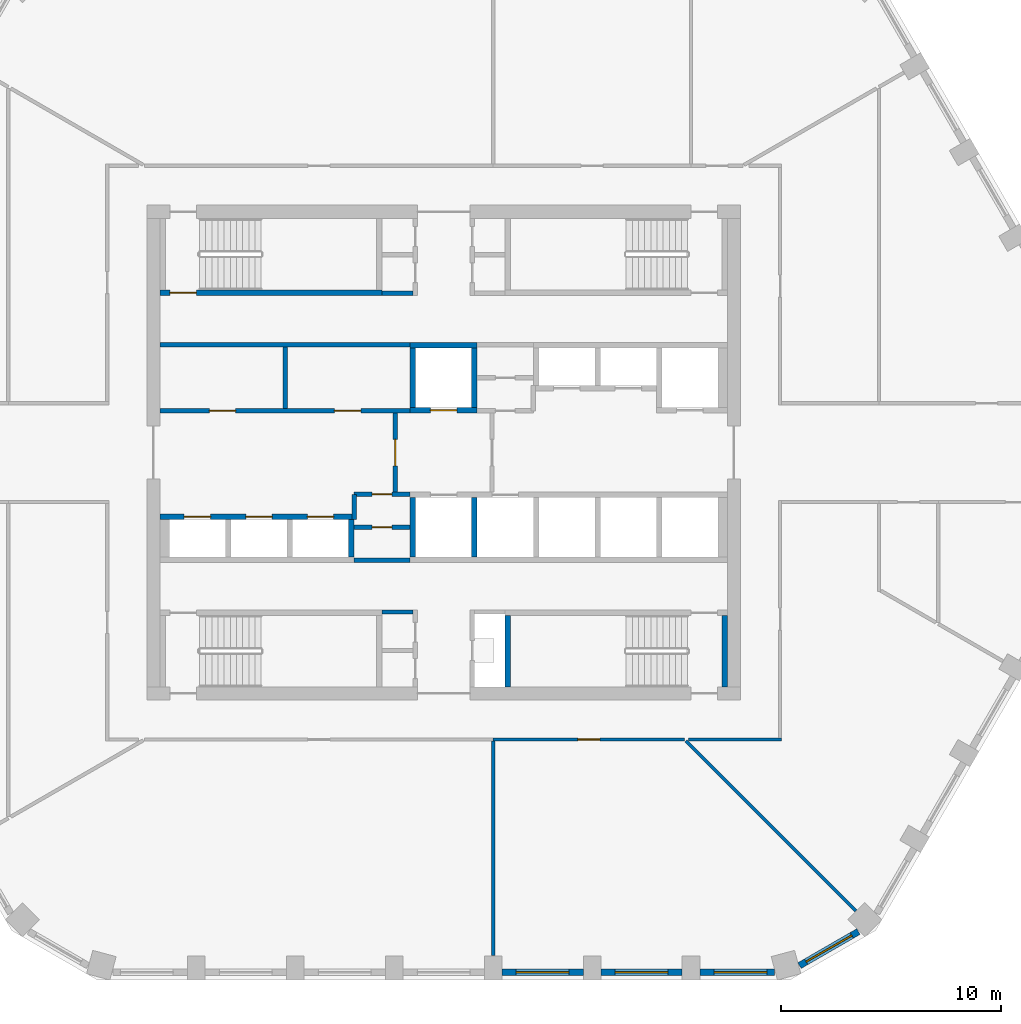
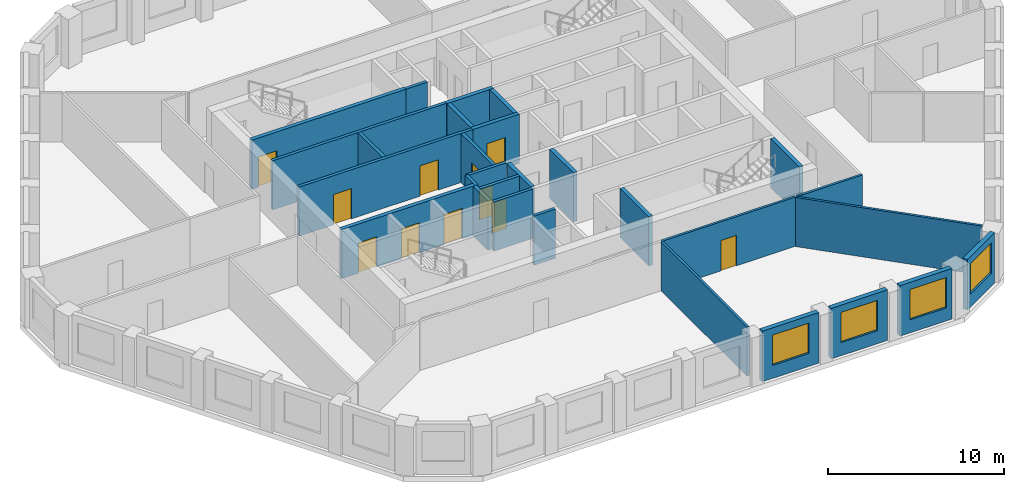
# One storey, part 3 of 8: 29 walls, 11 doors, 4 windows, 15 openings.
"""IFC4 building model written with IfcOpenShell, lengths in metres."""

from ifc_helpers import new_model, si_unit, direction, frame, frame_2d, origin, place, context, subcontext, project, spatial, polyline, rectangle, outline, extrude, material, layer, layer_set, type_object, element, fill, save


model = new_model("IFC4")

# Units and contexts
model_context = context("Model", 3, precision=1e-05, world=origin(), true_north=direction((0.0, 1.0)))
body_context = subcontext(model_context, "Body", "Model", "MODEL_VIEW")
ifc_project = project(units=[si_unit("LENGTHUNIT", "METRE"), si_unit("AREAUNIT", "SQUARE_METRE"), si_unit("VOLUMEUNIT", "CUBIC_METRE"), si_unit("PLANEANGLEUNIT", "RADIAN"), si_unit("MASSUNIT", "GRAM", prefix="KILO")], contexts=[model_context])

# Site, building, storey
site_placement = place(None, origin())
site = spatial("IfcSite", under=ifc_project, at=site_placement, CompositionType="ELEMENT")
building_placement = place(site_placement, origin())
building = spatial("IfcBuilding", under=site, at=building_placement, Name="Dhurran Vertical Campus", CompositionType="ELEMENT")
storey_placement = place(building_placement, frame((0.0, 0.0, 226.800048828125)))
storey = spatial("IfcBuildingStorey", under=building, at=storey_placement, Name="L56", CompositionType="ELEMENT", Elevation=226.800048828125)

# Wall, opening, window
ifc_material_1 = material(Name="Precast concrete C50/60", Category="concrete")
ifc_layer_1 = layer(ifc_material_1, 0.300048828125)
ifc_layer_set_1 = layer_set([ifc_layer_1], Name="Precast concrete C50/60")
wall_type_1 = type_object("IfcWallType", Name="Precast spandrel wall 300", PredefinedType="SOLIDWALL", material=ifc_layer_set_1)
wall_1_placement = place(storey_placement, frame((2.650390625, -23.635498046875, 0.0), z_axis=(0.0, 0.0, 1.0), x_axis=(1.0, 0.0, 0.0)))
wall_1 = element("IfcWall", 1, at=wall_1_placement, inside=storey, type_object=wall_type_1, Name="EW1 L56.04", PredefinedType="SOLIDWALL", context=body_context, shape_type="SweptSolid", body=[
    extrude(rectangle(XDim=3.69921875, YDim=0.300048828125, at=frame_2d((1.849609375, 0.0))), origin(), (0.0, 0.0, 1.0), 3.5),
])
opening_1_placement = place(wall_1_placement, frame((0.6494140625, 0.0, 0.89990234375)))
opening_1 = element("IfcOpeningElement", 2, at=opening_1_placement, cuts=wall_1, Name="Opening WT1", PredefinedType="OPENING", context=body_context, shape_type="SweptSolid", body=[
    extrude(rectangle(XDim=2.39990234375, YDim=2.10009765625, at=frame_2d((1.199951171875, 1.050048828125))), frame((0.0, 0.159912109375, 0.0), z_axis=(0.0, -1.0, 0.0), x_axis=(1.0, 0.0, 0.0)), (0.0, 0.0, 1.0), 0.320068359375),
])
ifc_material_2 = material(Name="Aluminium frame with solar-control glass", Category="aluminium")
window_type = type_object("IfcWindowType", Name="Punched window 2400 x 2100", PartitioningType="SINGLE_PANEL", PredefinedType="WINDOW", material=ifc_material_2)
window_1_placement = place(opening_1_placement, origin())
window_1 = element("IfcWindow", 3, at=window_1_placement, inside=storey, type_object=window_type, Name="WT1 L56.04", OverallHeight=2.10009765625, OverallWidth=2.39990234375, PartitioningType="SINGLE_PANEL", PredefinedType="WINDOW", context=body_context, shape_type="SweptSolid", body=[
    extrude(rectangle(XDim=2.39990234375, YDim=2.10009765625, at=frame_2d((1.199951171875, 1.050048828125))), frame((0.0, 0.030029296875, 0.0), z_axis=(0.0, -1.0, 0.0), x_axis=(1.0, 0.0, 0.0)), (0.0, 0.0, 1.0), 0.06005859375),
])
fill(opening_1, window_1)

wall_2_placement = place(storey_placement, frame((7.150390625, -23.635498046875, 0.0), z_axis=(0.0, 0.0, 1.0), x_axis=(1.0, 0.0, 0.0)))
wall_2 = element("IfcWall", 4, at=wall_2_placement, inside=storey, type_object=wall_type_1, Name="EW1 L56.05", PredefinedType="SOLIDWALL", context=body_context, shape_type="SweptSolid", body=[
    extrude(rectangle(XDim=3.69921875, YDim=0.300048828125, at=frame_2d((1.849609375, 0.0))), origin(), (0.0, 0.0, 1.0), 3.5),
])
opening_2_placement = place(wall_2_placement, frame((0.6494140625, 0.0, 0.89990234375)))
opening_2 = element("IfcOpeningElement", 5, at=opening_2_placement, cuts=wall_2, Name="Opening WT1", PredefinedType="OPENING", context=body_context, shape_type="SweptSolid", body=[
    extrude(rectangle(XDim=2.39990234375, YDim=2.10009765625, at=frame_2d((1.199951171875, 1.050048828125))), frame((0.0, 0.159912109375, 0.0), z_axis=(0.0, -1.0, 0.0), x_axis=(1.0, 0.0, 0.0)), (0.0, 0.0, 1.0), 0.320068359375),
])
window_2_placement = place(opening_2_placement, origin())
window_2 = element("IfcWindow", 6, at=window_2_placement, inside=storey, type_object=window_type, Name="WT1 L56.05", OverallHeight=2.10009765625, OverallWidth=2.39990234375, PartitioningType="SINGLE_PANEL", PredefinedType="WINDOW", context=body_context, shape_type="SweptSolid", body=[
    extrude(rectangle(XDim=2.39990234375, YDim=2.10009765625, at=frame_2d((1.199951171875, 1.050048828125))), frame((0.0, 0.030029296875, 0.0), z_axis=(0.0, -1.0, 0.0), x_axis=(1.0, 0.0, 0.0)), (0.0, 0.0, 1.0), 0.06005859375),
])
fill(opening_2, window_2)

wall_3_placement = place(storey_placement, frame((11.650390625, -23.635498046875, 0.0), z_axis=(0.0, 0.0, 1.0), x_axis=(1.0, 0.0, 0.0)))
wall_3 = element("IfcWall", 7, at=wall_3_placement, inside=storey, type_object=wall_type_1, Name="EW1 L56.06", PredefinedType="SOLIDWALL", context=body_context, shape_type="SweptSolid", body=[
    extrude(rectangle(XDim=3.39599609375, YDim=0.300048828125, at=frame_2d((1.697998046875, 0.0))), origin(), (0.0, 0.0, 1.0), 3.5),
])
opening_3_placement = place(wall_3_placement, frame((0.6494140625, 0.0, 0.89990234375)))
opening_3 = element("IfcOpeningElement", 8, at=opening_3_placement, cuts=wall_3, Name="Opening WT1", PredefinedType="OPENING", context=body_context, shape_type="SweptSolid", body=[
    extrude(rectangle(XDim=2.39990234375, YDim=2.10009765625, at=frame_2d((1.199951171875, 1.050048828125))), frame((0.0, 0.159912109375, 0.0), z_axis=(0.0, -1.0, 0.0), x_axis=(1.0, 0.0, 0.0)), (0.0, 0.0, 1.0), 0.320068359375),
])
window_3_placement = place(opening_3_placement, origin())
window_3 = element("IfcWindow", 9, at=window_3_placement, inside=storey, type_object=window_type, Name="WT1 L56.06", OverallHeight=2.10009765625, OverallWidth=2.39990234375, PartitioningType="SINGLE_PANEL", PredefinedType="WINDOW", context=body_context, shape_type="SweptSolid", body=[
    extrude(rectangle(XDim=2.39990234375, YDim=2.10009765625, at=frame_2d((1.199951171875, 1.050048828125))), frame((0.0, 0.030029296875, 0.0), z_axis=(0.0, -1.0, 0.0), x_axis=(1.0, 0.0, 0.0)), (0.0, 0.0, 1.0), 0.06005859375),
])
fill(opening_3, window_3)

wall_4_placement = place(storey_placement, frame((16.184326171875, -23.330810546875, 0.0), z_axis=(0.0, 0.0, 1.0), x_axis=(0.865994975416, 0.500052699777, 0.0)))
wall_4 = element("IfcWall", 10, at=wall_4_placement, inside=storey, type_object=wall_type_1, Name="EW1 L56.07", PredefinedType="SOLIDWALL", context=body_context, shape_type="SweptSolid", body=[
    extrude(rectangle(XDim=3.093017578125, YDim=0.300048828125, at=frame_2d((1.54638671875, 0.0))), origin(), (0.0, 0.0, 1.0), 3.5),
])
opening_4_placement = place(wall_4_placement, frame((0.346435546875, 0.0, 0.89990234375)))
opening_4 = element("IfcOpeningElement", 11, at=opening_4_placement, cuts=wall_4, Name="Opening WT1", PredefinedType="OPENING", context=body_context, shape_type="SweptSolid", body=[
    extrude(rectangle(XDim=2.39990234375, YDim=2.10009765625, at=frame_2d((1.199951171875, 1.050048828125))), frame((0.0, 0.159912109375, 0.0), z_axis=(0.0, -1.0, 0.0), x_axis=(1.0, 0.0, 0.0)), (0.0, 0.0, 1.0), 0.320068359375),
])
window_4_placement = place(opening_4_placement, origin())
window_4 = element("IfcWindow", 12, at=window_4_placement, inside=storey, type_object=window_type, Name="WT1 L56.07", OverallHeight=2.10009765625, OverallWidth=2.39990234375, PartitioningType="SINGLE_PANEL", PredefinedType="WINDOW", context=body_context, shape_type="SweptSolid", body=[
    extrude(rectangle(XDim=2.39990234375, YDim=2.10009765625, at=frame_2d((1.199951171875, 1.050048828125))), frame((0.0, 0.030029296875, 0.0), z_axis=(0.0, -1.0, 0.0), x_axis=(1.0, 0.0, 0.0)), (0.0, 0.0, 1.0), 0.06005859375),
])
fill(opening_4, window_4)

# Wall, opening, door
ifc_material_3 = material(Name="Fire-rated masonry blockwork", Category="masonry")
ifc_layer_2 = layer(ifc_material_3, 0.199951171875)
ifc_layer_set_2 = layer_set([ifc_layer_2], Name="Fire-rated masonry blockwork")
wall_type_2 = type_object("IfcWallType", Name="co-FIRE-PARTITION-200", PredefinedType="PARTITIONING", material=ifc_layer_set_2)
wall_5_placement = place(storey_placement, frame((-2.199951171875, -1.800048828125, 0.0), z_axis=(0.0, 0.0, 1.0), x_axis=(0.0, 1.0, 0.0)))
wall_5 = element("IfcWall", 13, at=wall_5_placement, inside=storey, type_object=wall_type_2, Name="Firefighting lobby wall W L56", PredefinedType="PARTITIONING", context=body_context, shape_type="SweptSolid", body=[
    extrude(rectangle(XDim=3.60009765625, YDim=0.199951171875, at=frame_2d((1.800048828125, 0.0))), origin(), (0.0, 0.0, 1.0), 3.39990234375),
])
opening_5_placement = place(wall_5_placement, frame((1.199951171875, 0.0, 0.0)))
opening_5 = element("IfcOpeningElement", 14, at=opening_5_placement, cuts=wall_5, Name="Opening FL1", PredefinedType="OPENING", context=body_context, shape_type="SweptSolid", body=[
    extrude(rectangle(XDim=1.199951171875, YDim=2.10009765625, at=frame_2d((0.60009765625, 1.050048828125))), frame((0.0, 0.10986328125, 0.0), z_axis=(0.0, -1.0, 0.0), x_axis=(1.0, 0.0, 0.0)), (0.0, 0.0, 1.0), 0.219970703125),
])
ifc_material_4 = material(Name="Fire-rated steel door set", Category="steel")
door_type_1 = type_object("IfcDoorType", Name="co-D-FFLOBBY 1200x2100", OperationType="SINGLE_SWING_LEFT", PredefinedType="DOOR", material=ifc_material_4)
door_1_placement = place(opening_5_placement, origin())
door_1 = element("IfcDoor", 15, at=door_1_placement, inside=storey, type_object=door_type_1, Name="Firefighting lobby door W L56", OperationType="SINGLE_SWING_LEFT", OverallHeight=2.10009765625, OverallWidth=1.199951171875, PredefinedType="DOOR", context=body_context, shape_type="SweptSolid", body=[
    extrude(rectangle(XDim=1.199951171875, YDim=2.10009765625, at=frame_2d((0.60009765625, 1.050048828125))), frame((0.0, 0.02490234375, 0.0), z_axis=(0.0, -1.0, 0.0), x_axis=(1.0, 0.0, 0.0)), (0.0, 0.0, 1.0), 0.050048828125),
])
fill(opening_5, door_1)

# Walls
for number, where, z_axis, x_axis, name in (
    (16, (-2.800048828125, 7.25, 0.0), (0.0, 0.0, 1.0), (1.0, 0.0, 0.0), "Core partition sl-NW-S L56"),
    (17, (-2.800048828125, -7.25, 0.0), (0.0, 0.0, 1.0), (1.0, 0.0, 0.0), "Core partition sl-SW-S L56"),
):
    element("IfcWall", number, at=place(storey_placement, frame(where, z_axis=z_axis, x_axis=x_axis)), inside=storey, type_object=wall_type_2, Name=name, PredefinedType="PARTITIONING", context=body_context, shape_type="SweptSolid", body=[
        extrude(rectangle(XDim=1.400146484375, YDim=0.199951171875, at=frame_2d((0.7001953125, 0.0))), origin(), (0.0, 0.0, 1.0), 3.39990234375),
    ])
wall_6_placement = place(storey_placement, frame((-7.21240234375, 2.0, 0.0), z_axis=(0.0, 0.0, 1.0), x_axis=(0.0, 1.0, 0.0)))
element("IfcWall", 18, at=wall_6_placement, inside=storey, type_object=wall_type_2, Name="Core partition fr-N0-cut0 L56", PredefinedType="PARTITIONING", context=body_context, shape_type="SweptSolid", body=[
    extrude(rectangle(XDim=2.800048828125, YDim=0.199951171875, at=frame_2d((1.39990234375, 0.0))), origin(), (0.0, 0.0, 1.0), 3.39990234375),
])

# Wall, openings, doors
wall_7_placement = place(storey_placement, frame((-12.89990234375, 1.89990234375, 0.0), z_axis=(0.0, 0.0, 1.0), x_axis=(1.0, 0.0, 0.0)))
wall_7 = element("IfcWall", 19, at=wall_7_placement, inside=storey, type_object=wall_type_2, Name="Core partition fr-N0-f L56", PredefinedType="PARTITIONING", context=body_context, shape_type="SweptSolid", body=[
    extrude(rectangle(XDim=11.375, YDim=0.199951171875, at=frame_2d((5.6875, 0.0))), origin(), (0.0, 0.0, 1.0), 3.39990234375),
])
opening_6_placement = place(wall_7_placement, frame((2.243896484375, 0.0, 0.0)))
opening_6 = element("IfcOpeningElement", 20, at=opening_6_placement, cuts=wall_7, Name="Opening T16-C8", PredefinedType="OPENING", context=body_context, shape_type="SweptSolid", body=[
    extrude(rectangle(XDim=1.199951171875, YDim=2.10009765625, at=frame_2d((0.60009765625, 1.050048828125))), frame((0.0, 0.10986328125, 0.0), z_axis=(0.0, -1.0, 0.0), x_axis=(1.0, 0.0, 0.0)), (0.0, 0.0, 1.0), 0.219970703125),
])
opening_7_placement = place(wall_7_placement, frame((7.931396484375, 0.0, 0.0)))
opening_7 = element("IfcOpeningElement", 21, at=opening_7_placement, cuts=wall_7, Name="Opening T16-C9", PredefinedType="OPENING", context=body_context, shape_type="SweptSolid", body=[
    extrude(rectangle(XDim=1.199951171875, YDim=2.10009765625, at=frame_2d((0.60009765625, 1.050048828125))), frame((0.0, 0.10986328125, 0.0), z_axis=(0.0, -1.0, 0.0), x_axis=(1.0, 0.0, 0.0)), (0.0, 0.0, 1.0), 0.219970703125),
])
ifc_material_5 = material(Name="Fire-rated steel door set", Category="steel")
door_type_2 = type_object("IfcDoorType", Name="co-D-ROOM-PASSAGE 1200x2100", OperationType="SINGLE_SWING_RIGHT", PredefinedType="DOOR", material=ifc_material_5)
door_2_placement = place(opening_6_placement, origin())
door_2 = element("IfcDoor", 22, at=door_2_placement, inside=storey, type_object=door_type_2, Name="Pantry door L56", OperationType="SINGLE_SWING_RIGHT", OverallHeight=2.10009765625, OverallWidth=1.199951171875, PredefinedType="DOOR", context=body_context, shape_type="SweptSolid", body=[
    extrude(rectangle(XDim=1.199951171875, YDim=2.10009765625, at=frame_2d((0.60009765625, 1.050048828125))), frame((0.0, 0.02490234375, 0.0), z_axis=(0.0, -1.0, 0.0), x_axis=(1.0, 0.0, 0.0)), (0.0, 0.0, 1.0), 0.050048828125),
])
fill(opening_6, door_2)
door_3_placement = place(opening_7_placement, origin())
door_3 = element("IfcDoor", 23, at=door_3_placement, inside=storey, type_object=door_type_2, Name="Print room door L56", OperationType="SINGLE_SWING_RIGHT", OverallHeight=2.10009765625, OverallWidth=1.199951171875, PredefinedType="DOOR", context=body_context, shape_type="SweptSolid", body=[
    extrude(rectangle(XDim=1.199951171875, YDim=2.10009765625, at=frame_2d((0.60009765625, 1.050048828125))), frame((0.0, 0.02490234375, 0.0), z_axis=(0.0, -1.0, 0.0), x_axis=(1.0, 0.0, 0.0)), (0.0, 0.0, 1.0), 0.050048828125),
])
fill(opening_7, door_3)

# Wall
wall_8_placement = place(storey_placement, frame((-12.89990234375, 4.89990234375, 0.0), z_axis=(0.0, 0.0, 1.0), x_axis=(1.0, 0.0, 0.0)))
element("IfcWall", 24, at=wall_8_placement, inside=storey, type_object=wall_type_2, Name="Core partition fr-N0-b L56", PredefinedType="PARTITIONING", context=body_context, shape_type="SweptSolid", body=[
    extrude(rectangle(XDim=11.375, YDim=0.199951171875, at=frame_2d((5.6875, 0.0))), origin(), (0.0, 0.0, 1.0), 3.39990234375),
])

# Wall, opening, door
wall_9_placement = place(storey_placement, frame((-4.074951171875, -3.39990234375, 0.0), z_axis=(0.0, 0.0, 1.0), x_axis=(1.0, 0.0, 0.0)))
wall_9 = element("IfcWall", 25, at=wall_9_placement, inside=storey, type_object=wall_type_2, Name="Core partition fr-S0-c L56", PredefinedType="PARTITIONING", context=body_context, shape_type="SweptSolid", body=[
    extrude(rectangle(XDim=2.550048828125, YDim=0.199951171875, at=frame_2d((1.27490234375, 0.0))), origin(), (0.0, 0.0, 1.0), 3.39990234375),
])
opening_8_placement = place(wall_9_placement, frame((0.824951171875, 0.0, 0.0)))
opening_8 = element("IfcOpeningElement", 26, at=opening_8_placement, cuts=wall_9, Name="Opening T16-C12", PredefinedType="OPENING", context=body_context, shape_type="SweptSolid", body=[
    extrude(rectangle(XDim=0.89990234375, YDim=2.10009765625, at=frame_2d((0.449951171875, 1.050048828125))), frame((0.0, 0.10986328125, 0.0), z_axis=(0.0, -1.0, 0.0), x_axis=(1.0, 0.0, 0.0)), (0.0, 0.0, 1.0), 0.219970703125),
])
ifc_material_6 = material(Name="Fire-rated timber door set", Category="wood")
door_type_3 = type_object("IfcDoorType", Name="co-D-ROOM 900x2100", OperationType="SINGLE_SWING_LEFT", PredefinedType="DOOR", material=ifc_material_6)
door_4_placement = place(opening_8_placement, origin())
door_4 = element("IfcDoor", 27, at=door_4_placement, inside=storey, type_object=door_type_3, Name="Cleaner's store door L56", OperationType="SINGLE_SWING_LEFT", OverallHeight=2.10009765625, OverallWidth=0.89990234375, PredefinedType="DOOR", context=body_context, shape_type="SweptSolid", body=[
    extrude(rectangle(XDim=0.89990234375, YDim=2.10009765625, at=frame_2d((0.449951171875, 1.050048828125))), frame((0.0, 0.02490234375, 0.0), z_axis=(0.0, -1.0, 0.0), x_axis=(1.0, 0.0, 0.0)), (0.0, 0.0, 1.0), 0.050048828125),
])
fill(opening_8, door_4)

wall_10_placement = place(storey_placement, frame((-4.074951171875, -1.89990234375, 0.0), z_axis=(0.0, 0.0, 1.0), x_axis=(1.0, 0.0, 0.0)))
wall_10 = element("IfcWall", 28, at=wall_10_placement, inside=storey, type_object=wall_type_2, Name="Core partition fr-S0-f L56", PredefinedType="PARTITIONING", context=body_context, shape_type="SweptSolid", body=[
    extrude(rectangle(XDim=2.550048828125, YDim=0.199951171875, at=frame_2d((1.27490234375, 0.0))), origin(), (0.0, 0.0, 1.0), 3.39990234375),
])
opening_9_placement = place(wall_10_placement, frame((0.824951171875, 0.0, 0.0)))
opening_9 = element("IfcOpeningElement", 29, at=opening_9_placement, cuts=wall_10, Name="Opening T16-C13", PredefinedType="OPENING", context=body_context, shape_type="SweptSolid", body=[
    extrude(rectangle(XDim=0.89990234375, YDim=2.10009765625, at=frame_2d((0.449951171875, 1.050048828125))), frame((0.0, 0.10986328125, 0.0), z_axis=(0.0, -1.0, 0.0), x_axis=(1.0, 0.0, 0.0)), (0.0, 0.0, 1.0), 0.219970703125),
])
door_5_placement = place(opening_9_placement, origin())
door_5 = element("IfcDoor", 30, at=door_5_placement, inside=storey, type_object=door_type_3, Name="Print room door L56", OperationType="SINGLE_SWING_LEFT", OverallHeight=2.10009765625, OverallWidth=0.89990234375, PredefinedType="DOOR", context=body_context, shape_type="SweptSolid", body=[
    extrude(rectangle(XDim=0.89990234375, YDim=2.10009765625, at=frame_2d((0.449951171875, 1.050048828125))), frame((0.0, 0.02490234375, 0.0), z_axis=(0.0, -1.0, 0.0), x_axis=(1.0, 0.0, 0.0)), (0.0, 0.0, 1.0), 0.050048828125),
])
fill(opening_9, door_5)

# Walls
wall_11_placement = place(storey_placement, frame((-4.074951171875, -4.89990234375, 0.0), z_axis=(0.0, 0.0, 1.0), x_axis=(1.0, 0.0, 0.0)))
element("IfcWall", 31, at=wall_11_placement, inside=storey, type_object=wall_type_2, Name="Core partition fr-S0-b L56", PredefinedType="PARTITIONING", context=body_context, shape_type="SweptSolid", body=[
    extrude(rectangle(XDim=2.550048828125, YDim=0.199951171875, at=frame_2d((1.27490234375, 0.0))), origin(), (0.0, 0.0, 1.0), 3.39990234375),
])
wall_12_placement = place(storey_placement, frame((-4.074951171875, -1.89990234375, 0.0), z_axis=(0.0, 0.0, 1.0), x_axis=(0.0, -1.0, 0.0)))
element("IfcWall", 32, at=wall_12_placement, inside=storey, type_object=wall_type_2, Name="Core partition fr-S0-n0 L56", PredefinedType="PARTITIONING", context=body_context, shape_type="SweptSolid", body=[
    extrude(rectangle(XDim=1.150146484375, YDim=0.199951171875, at=frame_2d((0.5751953125, 0.0))), origin(), (0.0, 0.0, 1.0), 3.39990234375),
])

# Wall, opening, door
ifc_material_7 = material(Name="Concrete C50/60", Category="concrete")
ifc_layer_3 = layer(ifc_material_7, 0.25)
ifc_layer_set_3 = layer_set([ifc_layer_3], Name="Concrete C50/60")
wall_type_3 = type_object("IfcWallType", Name="co-SHAFT-FRONT-250", PredefinedType="SHEAR", material=ifc_layer_set_3)
wall_13_placement = place(storey_placement, frame((-1.52490234375, 1.925048828125, 0.0), z_axis=(0.0, 0.0, 1.0), x_axis=(1.0, 0.0, 0.0)))
wall_13 = element("IfcWall", 33, at=wall_13_placement, inside=storey, type_object=wall_type_3, Name="Lift landing wall N L56", PredefinedType="SHEAR", context=body_context, shape_type="SweptSolid", body=[
    extrude(rectangle(XDim=3.0498046875, YDim=0.25, at=frame_2d((1.52490234375, 0.0))), origin(), (0.0, 0.0, 1.0), 3.39990234375),
])
opening_10_placement = place(wall_13_placement, frame((0.925048828125, 0.0, 0.0)))
opening_10 = element("IfcOpeningElement", 34, at=opening_10_placement, cuts=wall_13, Name="Opening LD", PredefinedType="OPENING", context=body_context, shape_type="SweptSolid", body=[
    extrude(rectangle(XDim=1.199951171875, YDim=2.10009765625, at=frame_2d((0.60009765625, 1.050048828125))), frame((0.0, 0.135009765625, 0.0), z_axis=(0.0, -1.0, 0.0), x_axis=(1.0, 0.0, 0.0)), (0.0, 0.0, 1.0), 0.27001953125),
])
ifc_material_8 = material(Name="Stainless steel landing door", Category="steel")
door_type_4 = type_object("IfcDoorType", Name="co-D-LANDING 1200x2100", OperationType="DOUBLE_DOOR_SLIDING", PredefinedType="DOOR", material=ifc_material_8)
door_6_placement = place(opening_10_placement, origin())
door_6 = element("IfcDoor", 35, at=door_6_placement, inside=storey, type_object=door_type_4, Name="Landing door FF1 L56", OperationType="DOUBLE_DOOR_SLIDING", OverallHeight=2.10009765625, OverallWidth=1.199951171875, PredefinedType="DOOR", context=body_context, shape_type="SweptSolid", body=[
    extrude(rectangle(XDim=1.199951171875, YDim=2.10009765625, at=frame_2d((0.60009765625, 1.050048828125))), frame((0.0, 0.02490234375, 0.0), z_axis=(0.0, -1.0, 0.0), x_axis=(1.0, 0.0, 0.0)), (0.0, 0.0, 1.0), 0.050048828125),
])
fill(opening_10, door_6)

# Wall, openings, doors
wall_14_placement = place(storey_placement, frame((-12.89990234375, -2.925048828125, 0.0), z_axis=(0.0, 0.0, 1.0), x_axis=(1.0, 0.0, 0.0)))
wall_14 = element("IfcWall", 36, at=wall_14_placement, inside=storey, type_object=wall_type_3, Name="Lift landing wall S L56", PredefinedType="SHEAR", context=body_context, shape_type="SweptSolid", body=[
    extrude(rectangle(XDim=8.824951171875, YDim=0.25, at=frame_2d((4.41259765625, 0.0))), origin(), (0.0, 0.0, 1.0), 3.39990234375),
])
opening_11_placement = place(wall_14_placement, frame((1.10009765625, 0.0, 0.0)))
opening_11 = element("IfcOpeningElement", 37, at=opening_11_placement, cuts=wall_14, Name="Opening LD", PredefinedType="OPENING", context=body_context, shape_type="SweptSolid", body=[
    extrude(rectangle(XDim=1.199951171875, YDim=2.10009765625, at=frame_2d((0.60009765625, 1.050048828125))), frame((0.0, 0.135009765625, 0.0), z_axis=(0.0, -1.0, 0.0), x_axis=(1.0, 0.0, 0.0)), (0.0, 0.0, 1.0), 0.27001953125),
])
opening_12_placement = place(wall_14_placement, frame((3.89990234375, 0.0, 0.0)))
opening_12 = element("IfcOpeningElement", 38, at=opening_12_placement, cuts=wall_14, Name="Opening LD", PredefinedType="OPENING", context=body_context, shape_type="SweptSolid", body=[
    extrude(rectangle(XDim=1.199951171875, YDim=2.10009765625, at=frame_2d((0.60009765625, 1.050048828125))), frame((0.0, 0.135009765625, 0.0), z_axis=(0.0, -1.0, 0.0), x_axis=(1.0, 0.0, 0.0)), (0.0, 0.0, 1.0), 0.27001953125),
])
opening_13_placement = place(wall_14_placement, frame((6.699951171875, 0.0, 0.0)))
opening_13 = element("IfcOpeningElement", 39, at=opening_13_placement, cuts=wall_14, Name="Opening LD", PredefinedType="OPENING", context=body_context, shape_type="SweptSolid", body=[
    extrude(rectangle(XDim=1.199951171875, YDim=2.10009765625, at=frame_2d((0.60009765625, 1.050048828125))), frame((0.0, 0.135009765625, 0.0), z_axis=(0.0, -1.0, 0.0), x_axis=(1.0, 0.0, 0.0)), (0.0, 0.0, 1.0), 0.27001953125),
])
door_7_placement = place(opening_11_placement, origin())
door_7 = element("IfcDoor", 40, at=door_7_placement, inside=storey, type_object=door_type_4, Name="Landing door MR3 L56", OperationType="DOUBLE_DOOR_SLIDING", OverallHeight=2.10009765625, OverallWidth=1.199951171875, PredefinedType="DOOR", context=body_context, shape_type="SweptSolid", body=[
    extrude(rectangle(XDim=1.199951171875, YDim=2.10009765625, at=frame_2d((0.60009765625, 1.050048828125))), frame((0.0, 0.02490234375, 0.0), z_axis=(0.0, -1.0, 0.0), x_axis=(1.0, 0.0, 0.0)), (0.0, 0.0, 1.0), 0.050048828125),
])
fill(opening_11, door_7)
door_8_placement = place(opening_12_placement, origin())
door_8 = element("IfcDoor", 41, at=door_8_placement, inside=storey, type_object=door_type_4, Name="Landing door MR4 L56", OperationType="DOUBLE_DOOR_SLIDING", OverallHeight=2.10009765625, OverallWidth=1.199951171875, PredefinedType="DOOR", context=body_context, shape_type="SweptSolid", body=[
    extrude(rectangle(XDim=1.199951171875, YDim=2.10009765625, at=frame_2d((0.60009765625, 1.050048828125))), frame((0.0, 0.02490234375, 0.0), z_axis=(0.0, -1.0, 0.0), x_axis=(1.0, 0.0, 0.0)), (0.0, 0.0, 1.0), 0.050048828125),
])
fill(opening_12, door_8)
door_9_placement = place(opening_13_placement, origin())
door_9 = element("IfcDoor", 42, at=door_9_placement, inside=storey, type_object=door_type_4, Name="Landing door MR5 L56", OperationType="DOUBLE_DOOR_SLIDING", OverallHeight=2.10009765625, OverallWidth=1.199951171875, PredefinedType="DOOR", context=body_context, shape_type="SweptSolid", body=[
    extrude(rectangle(XDim=1.199951171875, YDim=2.10009765625, at=frame_2d((0.60009765625, 1.050048828125))), frame((0.0, 0.02490234375, 0.0), z_axis=(0.0, -1.0, 0.0), x_axis=(1.0, 0.0, 0.0)), (0.0, 0.0, 1.0), 0.050048828125),
])
fill(opening_13, door_9)

# Walls
ifc_material_9 = material(Name="Concrete C50/60", Category="concrete")
ifc_layer_4 = layer(ifc_material_9, 0.25)
ifc_layer_set_4 = layer_set([ifc_layer_4], Name="Concrete C50/60")
wall_type_4 = type_object("IfcWallType", Name="co-SHAFT-MASS-250", PredefinedType="SHEAR", material=ifc_layer_set_4)
wall_15_placement = place(storey_placement, origin())
element("IfcWall", 43, at=wall_15_placement, inside=storey, type_object=wall_type_4, Name="Lift shaft wall N L56 1", PredefinedType="SHEAR", context=body_context, shape_type="SweptSolid", body=[
    extrude(outline(polyline([(-1.52490234375, 4.75), (1.52490234375, 4.75), (1.52490234375, 5.0), (-1.52490234375, 5.0), (-1.52490234375, 4.75)])), origin(), (0.0, 0.0, 1.0), 3.39990234375),
])
wall_16_placement = place(storey_placement, origin())
element("IfcWall", 44, at=wall_16_placement, inside=storey, type_object=wall_type_4, Name="Lift shaft wall N L56 3", PredefinedType="SHEAR", context=body_context, shape_type="SweptSolid", body=[
    extrude(outline(polyline([(-1.52490234375, 2.050048828125), (-1.27490234375, 2.050048828125), (-1.27490234375, 4.75), (-1.52490234375, 4.75), (-1.52490234375, 2.050048828125)])), origin(), (0.0, 0.0, 1.0), 3.39990234375),
])
wall_17_placement = place(storey_placement, origin())
element("IfcWall", 45, at=wall_17_placement, inside=storey, type_object=wall_type_4, Name="Lift shaft wall N L56 4", PredefinedType="SHEAR", context=body_context, shape_type="SweptSolid", body=[
    extrude(outline(polyline([(1.27490234375, 2.050048828125), (1.52490234375, 2.050048828125), (1.52490234375, 4.75), (1.27490234375, 4.75), (1.27490234375, 2.050048828125)])), origin(), (0.0, 0.0, 1.0), 3.39990234375),
])
wall_18_placement = place(storey_placement, origin())
element("IfcWall", 46, at=wall_18_placement, inside=storey, type_object=wall_type_4, Name="Lift shaft wall S L56 6", PredefinedType="SHEAR", context=body_context, shape_type="SweptSolid", body=[
    extrude(outline(polyline([(-4.324951171875, -4.75), (-4.074951171875, -4.75), (-4.074951171875, -3.050048828125), (-4.324951171875, -3.050048828125), (-4.324951171875, -4.75)])), origin(), (0.0, 0.0, 1.0), 3.39990234375),
])
wall_19_placement = place(storey_placement, origin())
element("IfcWall", 47, at=wall_19_placement, inside=storey, type_object=wall_type_4, Name="Lift shaft wall S L56 7", PredefinedType="SHEAR", context=body_context, shape_type="SweptSolid", body=[
    extrude(outline(polyline([(-1.52490234375, -4.75), (-1.27490234375, -4.75), (-1.27490234375, -2.050048828125), (-1.52490234375, -2.050048828125), (-1.52490234375, -4.75)])), origin(), (0.0, 0.0, 1.0), 3.39990234375),
])
wall_20_placement = place(storey_placement, origin())
element("IfcWall", 48, at=wall_20_placement, inside=storey, type_object=wall_type_4, Name="Lift shaft wall S L56 8", PredefinedType="SHEAR", context=body_context, shape_type="SweptSolid", body=[
    extrude(outline(polyline([(1.27490234375, -4.75), (1.52490234375, -4.75), (1.52490234375, -2.050048828125), (1.27490234375, -2.050048828125), (1.27490234375, -4.75)])), origin(), (0.0, 0.0, 1.0), 3.39990234375),
])

# Wall, opening, door
ifc_material_10 = material(Name="Concrete C40/50", Category="concrete")
ifc_layer_5 = layer(ifc_material_10, 0.25)
ifc_layer_set_5 = layer_set([ifc_layer_5], Name="Concrete C40/50")
wall_type_5 = type_object("IfcWallType", Name="co-STAIR-WALL-250", PredefinedType="SHEAR", material=ifc_layer_set_5)
wall_21_placement = place(storey_placement, frame((-12.89990234375, 7.27490234375, 0.0), z_axis=(0.0, 0.0, 1.0), x_axis=(1.0, 0.0, 0.0)))
wall_21 = element("IfcWall", 49, at=wall_21_placement, inside=storey, type_object=wall_type_5, Name="Stair ST1 enclosure wall L56", PredefinedType="SHEAR", context=body_context, shape_type="SweptSolid", body=[
    extrude(rectangle(XDim=10.099853515625, YDim=0.25, at=frame_2d((5.0498046875, 0.0))), origin(), (0.0, 0.0, 1.0), 3.39990234375),
])
opening_14_placement = place(wall_21_placement, frame((0.449951171875, 0.0, 0.0)))
opening_14 = element("IfcOpeningElement", 50, at=opening_14_placement, cuts=wall_21, Name="Opening SD1", PredefinedType="OPENING", context=body_context, shape_type="SweptSolid", body=[
    extrude(rectangle(XDim=1.199951171875, YDim=2.10009765625, at=frame_2d((0.60009765625, 1.050048828125))), frame((0.0, 0.135009765625, 0.0), z_axis=(0.0, -1.0, 0.0), x_axis=(1.0, 0.0, 0.0)), (0.0, 0.0, 1.0), 0.27001953125),
])
ifc_material_11 = material(Name="Fire-rated steel door set", Category="steel")
door_type_5 = type_object("IfcDoorType", Name="co-D-STAIR 1200x2100", OperationType="SINGLE_SWING_LEFT", PredefinedType="DOOR", material=ifc_material_11)
door_10_placement = place(opening_14_placement, origin())
door_10 = element("IfcDoor", 51, at=door_10_placement, inside=storey, type_object=door_type_5, Name="Stair ST1 door L56", OperationType="SINGLE_SWING_LEFT", OverallHeight=2.10009765625, OverallWidth=1.199951171875, PredefinedType="DOOR", context=body_context, shape_type="SweptSolid", body=[
    extrude(rectangle(XDim=1.199951171875, YDim=2.10009765625, at=frame_2d((0.60009765625, 1.050048828125))), frame((0.0, 0.02490234375, 0.0), z_axis=(0.0, -1.0, 0.0), x_axis=(1.0, 0.0, 0.0)), (0.0, 0.0, 1.0), 0.050048828125),
])
fill(opening_14, door_10)

# Walls
for number, where, z_axis, x_axis, name in (
    (52, (2.925048828125, -10.64990234375, 0.0), (0.0, 0.0, 1.0), (0.0, 1.0, 0.0), "Stair ST4 enclosure wall L56"),
    (53, (12.77490234375, -10.64990234375, 0.0), (0.0, 0.0, 1.0), (0.0, 1.0, 0.0), "Stair ST4 enclosure wall L56"),
):
    element("IfcWall", number, at=place(storey_placement, frame(where, z_axis=z_axis, x_axis=x_axis)), inside=storey, type_object=wall_type_5, Name=name, PredefinedType="SHEAR", context=body_context, shape_type="SweptSolid", body=[
        extrude(rectangle(XDim=3.25, YDim=0.25, at=frame_2d((1.625, 0.0))), origin(), (0.0, 0.0, 1.0), 3.39990234375),
    ])

# Wall, opening, door
ifc_material_12 = material(Name="Gypsum board corridor wall on steel studs", Category="steel")
ifc_layer_6 = layer(ifc_material_12, 0.14990234375)
ifc_layer_set_6 = layer_set([ifc_layer_6], Name="Gypsum board corridor wall on steel studs")
wall_type_6 = type_object("IfcWallType", Name="fl-CW-150 corridor wall", PredefinedType="PARTITIONING", material=ifc_layer_set_6)
wall_22_placement = place(storey_placement, frame((2.25, -13.050048828125, 0.0), z_axis=(0.0, 0.0, 1.0), x_axis=(1.0, 0.0, 0.0)))
wall_22 = element("IfcWall", 54, at=wall_22_placement, inside=storey, type_object=wall_type_6, Name="Partition 56-18", PredefinedType="PARTITIONING", context=body_context, shape_type="SweptSolid", body=[
    extrude(rectangle(XDim=8.7119140625, YDim=0.14990234375, at=frame_2d((4.35595703125, 0.0))), origin(), (0.0, 0.0, 1.0), 3.39990234375),
])
opening_15_placement = place(wall_22_placement, frame((3.85595703125, 0.0, 0.0)))
opening_15 = element("IfcOpeningElement", 55, at=opening_15_placement, cuts=wall_22, Name="Opening T16.08", PredefinedType="OPENING", context=body_context, shape_type="SweptSolid", body=[
    extrude(rectangle(XDim=1.0, YDim=2.10009765625, at=frame_2d((0.5, 1.050048828125))), frame((0.0, 0.0849609375, 0.0), z_axis=(0.0, -1.0, 0.0), x_axis=(1.0, 0.0, 0.0)), (0.0, 0.0, 1.0), 0.169921875),
])
ifc_material_13 = material(Name="Solid-core timber door set, fire-rated", Category="wood")
door_type_6 = type_object("IfcDoorType", Name="fl-D-1000x2100", OperationType="SINGLE_SWING_LEFT", PredefinedType="DOOR", material=ifc_material_13)
door_11_placement = place(opening_15_placement, origin())
door_11 = element("IfcDoor", 56, at=door_11_placement, inside=storey, type_object=door_type_6, Name="Door 56.08", OperationType="SINGLE_SWING_RIGHT", OverallHeight=2.10009765625, OverallWidth=1.0, PredefinedType="DOOR", context=body_context, shape_type="SweptSolid", body=[
    extrude(rectangle(XDim=1.0, YDim=2.10009765625, at=frame_2d((0.5, 1.050048828125))), frame((0.0, 0.02490234375, 0.0), z_axis=(0.0, -1.0, 0.0), x_axis=(1.0, 0.0, 0.0)), (0.0, 0.0, 1.0), 0.050048828125),
])
fill(opening_15, door_11)

# Walls
wall_23_placement = place(storey_placement, frame((11.136962890625, -13.050048828125, 0.0), z_axis=(0.0, 0.0, 1.0), x_axis=(1.0, 0.0, 0.0)))
element("IfcWall", 57, at=wall_23_placement, inside=storey, type_object=wall_type_6, Name="Partition 56-21", PredefinedType="PARTITIONING", context=body_context, shape_type="SweptSolid", body=[
    extrude(rectangle(XDim=4.238037109375, YDim=0.14990234375, at=frame_2d((2.119140625, 0.0))), origin(), (0.0, 0.0, 1.0), 3.39990234375),
])
ifc_material_14 = material(Name="Gypsum board partition on steel studs", Category="steel")
ifc_layer_7 = layer(ifc_material_14, 0.14990234375)
ifc_layer_set_7 = layer_set([ifc_layer_7], Name="Gypsum board partition on steel studs")
wall_type_7 = type_object("IfcWallType", Name="fl-PW-150 fixed partition", PredefinedType="PARTITIONING", material=ifc_layer_set_7)
wall_24_placement = place(storey_placement, frame((2.25, -13.125, 0.0), z_axis=(0.0, 0.0, 1.0), x_axis=(0.0, -1.0, 0.0)))
element("IfcWall", 58, at=wall_24_placement, inside=storey, type_object=wall_type_7, Name="Partition 56-17", PredefinedType="PARTITIONING", context=body_context, shape_type="SweptSolid", body=[
    extrude(rectangle(XDim=9.740478515625, YDim=0.14990234375, at=frame_2d((4.8701171875, 0.0))), origin(), (0.0, 0.0, 1.0), 3.39990234375),
])
wall_25_placement = place(storey_placement, frame((11.014892578125, -13.10302734375, 0.0), z_axis=(0.0, 0.0, 1.0), x_axis=(0.707073307884, -0.707140252905, 0.0)))
element("IfcWall", 59, at=wall_25_placement, inside=storey, type_object=wall_type_7, Name="Partition 56-22", PredefinedType="PARTITIONING", context=body_context, shape_type="SweptSolid", body=[
    extrude(rectangle(XDim=10.940673828125, YDim=0.14990234375, at=frame_2d((5.47021484375, 0.0))), origin(), (0.0, 0.0, 1.0), 3.39990234375),
])

save(model, "model.ifc")
